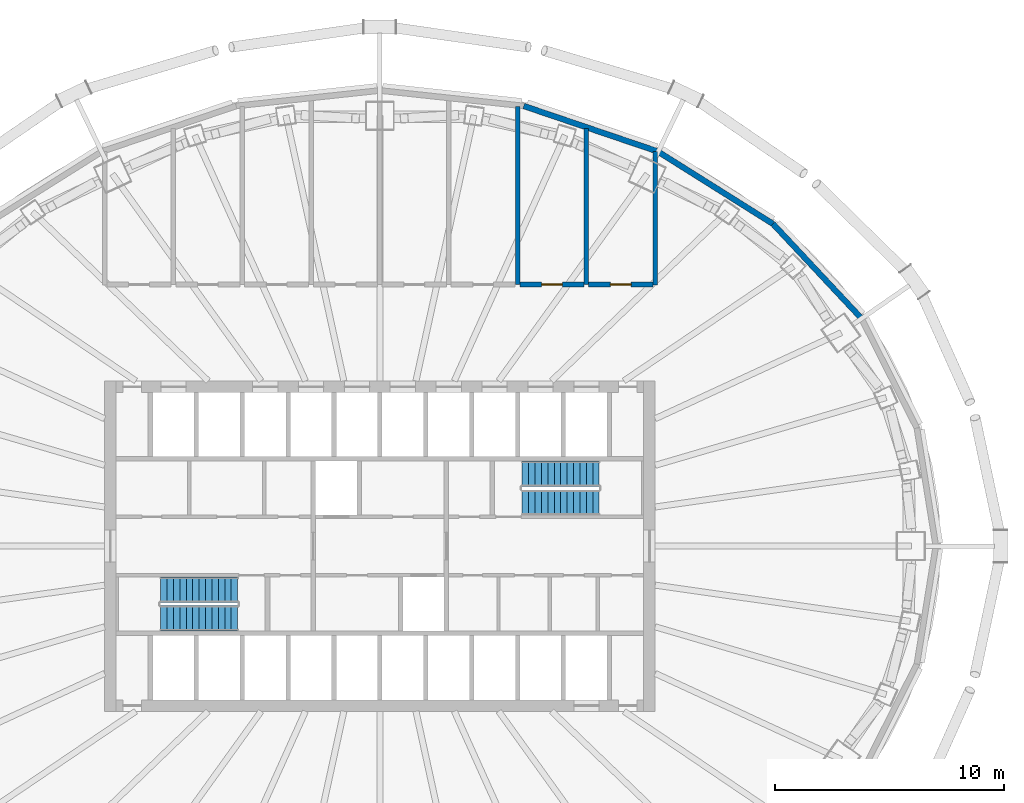
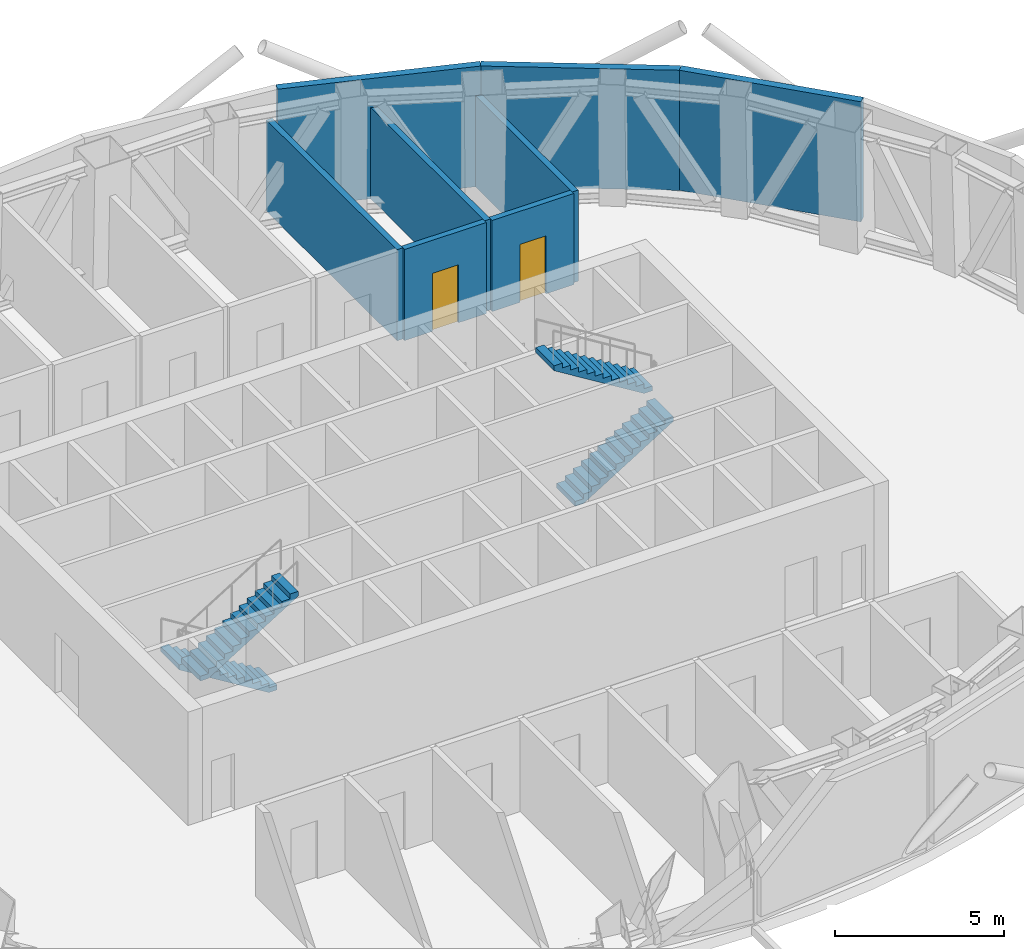
# One storey, part 8 of 16: 8 walls, 4 stair flights, 2 doors, 2 openings, 2 elements without a shape of their own.
"""IFC4 building model written with IfcOpenShell, lengths in metres."""

import ifcopenshell
import ifcopenshell.guid

model = None  # the IFC model being written
_history = None  # IfcOwnerHistory: only IFC2X3 demands one
_inside = {}  # id of a spatial element -> (the spatial element, [elements in it])
_under = {}  # id of a project, library or spatial element -> (it, [spatial elements below it])
_declared = {}  # id of a project -> (the project, [libraries it declares])
_typed = {}  # id of a type object -> (the type object, [elements of that type])
_made_of = {}  # id of a material, layer set ... -> (it, [elements and type objects made of it])


def new_model(schema):
    """Start an empty IFC model of exactly this schema.

    Asked for "IFC4X3", IfcOpenShell would pick the latest addendum, in which some entities
    have other attributes; the version numbers below select the first issue.
    IFC2X3 requires an IfcOwnerHistory on every rooted entity: one is made here for all.
    """
    global model, _history
    if schema == "IFC4X3":
        model = ifcopenshell.file(schema_version=(4, 3, 0, 0))
    else:
        model = ifcopenshell.file(schema=schema)
    _inside.clear()
    _under.clear()
    _declared.clear()
    _typed.clear()
    _made_of.clear()
    _history = None
    if model.schema == "IFC2X3":
        org = make("IfcOrganization", Name="unknown")
        user = make(
            "IfcPersonAndOrganization",
            ThePerson=make("IfcPerson", FamilyName="unknown"),
            TheOrganization=org,
        )
        app = make(
            "IfcApplication",
            ApplicationDeveloper=org,
            Version="unknown",
            ApplicationFullName="unknown",
            ApplicationIdentifier="unknown",
        )
        _history = make(
            "IfcOwnerHistory",
            OwningUser=user,
            OwningApplication=app,
            ChangeAction="ADDED",
            CreationDate=0,
        )
    return model


def make(cls, **values):
    """One entity of the class cls with the attributes given. An attribute that is None is left unset."""
    return model.create_entity(
        cls, **{name: value for name, value in values.items() if value is not None}
    )


def rooted(cls, **values):
    """An entity with a GlobalId (a new one), such as an element, a storey or a relation."""
    return make(cls, GlobalId=ifcopenshell.guid.new(), OwnerHistory=_history, **values)


def si_unit(unit_type, name, prefix=None):
    """IfcSIUnit, for example si_unit("LENGTHUNIT", "METRE", prefix="MILLI")."""
    return make("IfcSIUnit", UnitType=unit_type, Prefix=prefix, Name=name)


def assignment(units):
    """IfcUnitAssignment: the units of a project."""
    return None if units is None else make("IfcUnitAssignment", Units=units)


def point(xyz):
    """IfcCartesianPoint."""
    return None if xyz is None else make("IfcCartesianPoint", Coordinates=xyz)


def direction(xyz):
    """IfcDirection."""
    return None if xyz is None else make("IfcDirection", DirectionRatios=xyz)


def frame(location, z_axis=None, x_axis=None):
    """IfcAxis2Placement3D, a coordinate frame: its origin and axes. An axis left out is left unset."""
    return make(
        "IfcAxis2Placement3D",
        Location=point(location),
        Axis=direction(z_axis),
        RefDirection=direction(x_axis),
    )


def frame_2d(location, x_axis=None):
    """IfcAxis2Placement2D, a coordinate frame in the plane: its origin and x axis."""
    return make(
        "IfcAxis2Placement2D", Location=point(location), RefDirection=direction(x_axis)
    )


def origin():
    """The frame at (0, 0, 0) with its axes left unset."""
    return frame((0.0, 0.0, 0.0))


def place(relative_to, where):
    """IfcLocalPlacement: puts the frame where relative to a parent placement (None: the world)."""
    return make(
        "IfcLocalPlacement", PlacementRelTo=relative_to, RelativePlacement=where
    )


def context(
    kind, dimensions, precision=None, world=None, true_north=None, identifier=None
):
    """IfcGeometricRepresentationContext, for example the 3D "Model" context."""
    return make(
        "IfcGeometricRepresentationContext",
        ContextIdentifier=identifier,
        ContextType=kind,
        CoordinateSpaceDimension=dimensions,
        Precision=precision,
        WorldCoordinateSystem=world,
        TrueNorth=true_north,
    )


def subcontext(parent, identifier, kind, view, scale=None):
    """IfcGeometricRepresentationSubContext, for example "Body" below "Model"."""
    return make(
        "IfcGeometricRepresentationSubContext",
        ContextIdentifier=identifier,
        ContextType=kind,
        ParentContext=parent,
        TargetScale=scale,
        TargetView=view,
    )


def project(units=None, contexts=None):
    """IfcProject with its units and contexts."""
    return rooted(
        "IfcProject",
        Name="project",
        RepresentationContexts=contexts,
        UnitsInContext=assignment(units),
    )


def spatial(cls, under=None, at=None, **own):
    """A site, building, storey or space (cls), placed at a placement, below another one or the project."""
    s = rooted(cls, ObjectPlacement=at, **own)
    if under is not None:
        _under.setdefault(under.id(), (under, []))[1].append(s)
    return s


def polyline(points):
    """IfcPolyline through the points."""
    return make("IfcPolyline", Points=[point(p) for p in points])


def profile(cls, at=None, kind="AREA", **sizes):
    """A parametric profile (cls). Its sizes go by their IFC names, for example OverallWidth=200.0."""
    return make(cls, ProfileType=kind, Position=at, **sizes)


def rectangle(**sizes):
    """IfcRectangleProfileDef."""
    return profile("IfcRectangleProfileDef", **sizes)


def outline(outer, holes=None, kind="AREA"):
    """IfcArbitraryClosedProfileDef: a profile drawn as a closed curve; with holes, ...WithVoids."""
    if holes is None:
        return make("IfcArbitraryClosedProfileDef", ProfileType=kind, OuterCurve=outer)
    return make(
        "IfcArbitraryProfileDefWithVoids",
        ProfileType=kind,
        OuterCurve=outer,
        InnerCurves=holes,
    )


def extrude(swept, where, along, depth):
    """IfcExtrudedAreaSolid: the profile swept, set in the frame where, extruded along a direction by depth."""
    return make(
        "IfcExtrudedAreaSolid",
        SweptArea=swept,
        Position=where,
        ExtrudedDirection=direction(along),
        Depth=depth,
    )


def shape(context_of_items, identifier, shape_type, items):
    """IfcShapeRepresentation: the items that make up one representation, for example the "Body"."""
    return make(
        "IfcShapeRepresentation",
        ContextOfItems=context_of_items,
        RepresentationIdentifier=identifier,
        RepresentationType=shape_type,
        Items=items,
    )


def material(Name=None, Category=None):
    """IfcMaterial."""
    return make("IfcMaterial", Name=Name, Category=Category)


def layer(
    of_material, thickness, ventilated=None, Name=None, Category=None, Priority=None
):
    """IfcMaterialLayer: one layer of a wall or slab, of a material (None: an air gap)."""
    return make(
        "IfcMaterialLayer",
        Material=of_material,
        LayerThickness=thickness,
        IsVentilated=ventilated,
        Name=Name,
        Category=Category,
        Priority=Priority,
    )


def layer_set(layers, Name=None):
    """IfcMaterialLayerSet."""
    return make("IfcMaterialLayerSet", MaterialLayers=layers, LayerSetName=Name)


def made_of(thing, what):
    """Note that an element or type object is made of a material, layer set ...; save() writes the relation."""
    if what is not None:
        _made_of.setdefault(what.id(), (what, []))[1].append(thing)
    return thing


def type_object(cls, material=None, **own):
    """A type object (cls), such as IfcWallType, which elements share."""
    return made_of(rooted(cls, **own), material)


def element(
    cls,
    number,
    at=None,
    inside=None,
    cuts=None,
    type_object=None,
    material=None,
    context=None,
    identifier="Body",
    shape_type=None,
    held_by="IfcProductDefinitionShape",
    body=None,
    shapes=None,
    **own,
):
    """One element of the class cls, such as IfcWall. Its Tag is "e" and its number.

    at: its placement. inside: the storey or other place that contains it. cuts: it is an
    opening in that element (IfcRelVoidsElement). A single representation is given by context,
    identifier, shape_type and body (its items); several are given by shapes. held_by: the class
    of the entity that holds the representations. save() writes the other relations.
    """
    e = rooted(cls, Tag="e%d" % number, ObjectPlacement=at, **own)
    if body is not None:
        shapes = [shape(context, identifier, shape_type, body)]
    if shapes is not None:
        e.Representation = make(held_by, Representations=shapes)
    if inside is not None:
        _inside.setdefault(inside.id(), (inside, []))[1].append(e)
    if cuts is not None:
        rooted(
            "IfcRelVoidsElement", RelatingBuildingElement=cuts, RelatedOpeningElement=e
        )
    if type_object is not None:
        _typed.setdefault(type_object.id(), (type_object, []))[1].append(e)
    return made_of(e, material)


def fill(opening, filler):
    """IfcRelFillsElement: the door or window that sits in an opening."""
    return rooted(
        "IfcRelFillsElement",
        RelatingOpeningElement=opening,
        RelatedBuildingElement=filler,
    )


def aggregate(whole, parts):
    """IfcRelAggregates: a whole, such as a stair, and the parts it consists of."""
    return rooted("IfcRelAggregates", RelatingObject=whole, RelatedObjects=parts)


def save(model, path):
    """Write the relations noted so far, then the file.

    IfcRelAggregates (storeys below a building ...), IfcRelContainedInSpatialStructure (elements
    in a storey), IfcRelDefinesByType, IfcRelAssociatesMaterial and IfcRelDeclares: one each for
    every whole, place, type object, material and project.
    """
    for whole, parts in _under.values():
        aggregate(whole, parts)
    for where, things in _inside.values():
        rooted(
            "IfcRelContainedInSpatialStructure",
            RelatedElements=things,
            RelatingStructure=where,
        )
    for kind, things in _typed.values():
        rooted("IfcRelDefinesByType", RelatedObjects=things, RelatingType=kind)
    for what, things in _made_of.values():
        rooted("IfcRelAssociatesMaterial", RelatedObjects=things, RelatingMaterial=what)
    for by, libraries in _declared.values():
        rooted("IfcRelDeclares", RelatingContext=by, RelatedDefinitions=libraries)
    model.write(path)


model = new_model("IFC4")

# Units and contexts
model_context = context("Model", 3, precision=1e-05, world=origin(), true_north=direction((0.0, 1.0)))
body_context = subcontext(model_context, "Body", "Model", "MODEL_VIEW")
ifc_project = project(units=[si_unit("LENGTHUNIT", "METRE"), si_unit("AREAUNIT", "SQUARE_METRE"), si_unit("VOLUMEUNIT", "CUBIC_METRE"), si_unit("PLANEANGLEUNIT", "RADIAN"), si_unit("MASSUNIT", "GRAM", prefix="KILO")], contexts=[model_context])

# Site, building, storey
site_placement = place(None, origin())
site = spatial("IfcSite", under=ifc_project, at=site_placement, CompositionType="ELEMENT")
building_placement = place(site_placement, origin())
building = spatial("IfcBuilding", under=site, at=building_placement, Name="Siaravel Broadcast Tower", CompositionType="ELEMENT")
storey_placement = place(building_placement, frame((0.0, 0.0, 152.60009765625)))
storey = spatial("IfcBuildingStorey", under=building, at=storey_placement, Name="L36", CompositionType="ELEMENT", Elevation=152.60009765625)

# Walls
ifc_material_1 = material(Name="Concrete blockwork", Category="masonry")
ifc_layer_1 = layer(ifc_material_1, 0.199951171875)
ifc_layer_set_1 = layer_set([ifc_layer_1], Name="Concrete blockwork")
wall_type_1 = type_object("IfcWallType", Name="Plant room wall 200", PredefinedType="PARTITIONING", material=ifc_layer_set_1)
wall_1_placement = place(storey_placement, frame((6.0, 11.39990234375, 0.0), z_axis=(0.0, 0.0, 1.0), x_axis=(0.0, 1.0, 0.0)))
element("IfcWall", 1, at=wall_1_placement, inside=storey, type_object=wall_type_1, Name="L36 partition 10", PredefinedType="PARTITIONING", context=body_context, shape_type="SweptSolid", body=[
    extrude(rectangle(XDim=7.761474609375, YDim=0.199951171875, at=frame_2d((3.880859375, 0.0))), origin(), (0.0, 0.0, 1.0), 3.2998046875),
])
wall_2_placement = place(storey_placement, frame((9.0, 11.39990234375, 0.0), z_axis=(0.0, 0.0, 1.0), x_axis=(0.0, 1.0, 0.0)))
element("IfcWall", 2, at=wall_2_placement, inside=storey, type_object=wall_type_1, Name="L36 partition 14", PredefinedType="PARTITIONING", context=body_context, shape_type="SweptSolid", body=[
    extrude(rectangle(XDim=6.805908203125, YDim=0.199951171875, at=frame_2d((3.40283203125, 0.0))), origin(), (0.0, 0.0, 1.0), 3.2998046875),
])
wall_3_placement = place(storey_placement, frame((12.0, 11.387939453125, 0.0), z_axis=(0.0, 0.0, 1.0), x_axis=(0.0, 1.0, 0.0)))
element("IfcWall", 3, at=wall_3_placement, inside=storey, type_object=wall_type_1, Name="L36 partition 18", PredefinedType="PARTITIONING", context=body_context, shape_type="SweptSolid", body=[
    extrude(rectangle(XDim=5.800048828125, YDim=0.199951171875, at=frame_2d((2.89990234375, 0.0))), origin(), (0.0, 0.0, 1.0), 3.2998046875),
])

# Wall, opening, door
wall_4_placement = place(storey_placement, frame((8.89794921875, 11.39990234375, 0.0), z_axis=(0.0, 0.0, 1.0), x_axis=(-1.0, 0.0, 0.0)))
wall_4 = element("IfcWall", 4, at=wall_4_placement, inside=storey, type_object=wall_type_1, Name="L36 partition 33", PredefinedType="PARTITIONING", context=body_context, shape_type="SweptSolid", body=[
    extrude(rectangle(XDim=2.7958984375, YDim=0.199951171875, at=frame_2d((1.39794921875, 0.0))), origin(), (0.0, 0.0, 1.0), 3.2998046875),
])
opening_1_placement = place(wall_4_placement, frame((0.947998046875, 0.0, 0.0)))
opening_1 = element("IfcOpeningElement", 5, at=opening_1_placement, cuts=wall_4, Name="Opening L36-007", PredefinedType="OPENING", context=body_context, shape_type="SweptSolid", body=[
    extrude(rectangle(XDim=0.89990234375, YDim=2.10009765625, at=frame_2d((0.449951171875, 1.050048828125))), frame((0.0, 0.10986328125, 0.0), z_axis=(0.0, -1.0, 0.0), x_axis=(1.0, 0.0, 0.0)), (0.0, 0.0, 1.0), 0.219970703125),
])
ifc_material_2 = material(Name="Steel", Category="steel")
door_type = type_object("IfcDoorType", Name="Plant room door 900", OperationType="SINGLE_SWING_LEFT", PredefinedType="DOOR", material=ifc_material_2)
door_1_placement = place(opening_1_placement, origin())
door_1 = element("IfcDoor", 6, at=door_1_placement, inside=storey, type_object=door_type, Name="L36 door to Electrical plant room", OperationType="SINGLE_SWING_LEFT", OverallHeight=2.10009765625, OverallWidth=0.89990234375, PredefinedType="DOOR", context=body_context, shape_type="SweptSolid", body=[
    extrude(rectangle(XDim=0.89990234375, YDim=2.10009765625, at=frame_2d((0.449951171875, 1.050048828125))), frame((0.0, 0.02490234375, 0.0), z_axis=(0.0, -1.0, 0.0), x_axis=(1.0, 0.0, 0.0)), (0.0, 0.0, 1.0), 0.050048828125),
])
fill(opening_1, door_1)

wall_5_placement = place(storey_placement, frame((11.89794921875, 11.39990234375, 0.0), z_axis=(0.0, 0.0, 1.0), x_axis=(-1.0, 0.0, 0.0)))
wall_5 = element("IfcWall", 7, at=wall_5_placement, inside=storey, type_object=wall_type_1, Name="L36 partition 34", PredefinedType="PARTITIONING", context=body_context, shape_type="SweptSolid", body=[
    extrude(rectangle(XDim=2.7958984375, YDim=0.199951171875, at=frame_2d((1.39794921875, 0.0))), origin(), (0.0, 0.0, 1.0), 3.2998046875),
])
opening_2_placement = place(wall_5_placement, frame((0.947998046875, 0.0, 0.0)))
opening_2 = element("IfcOpeningElement", 8, at=opening_2_placement, cuts=wall_5, Name="Opening L36-008", PredefinedType="OPENING", context=body_context, shape_type="SweptSolid", body=[
    extrude(rectangle(XDim=0.89990234375, YDim=2.10009765625, at=frame_2d((0.449951171875, 1.050048828125))), frame((0.0, 0.10986328125, 0.0), z_axis=(0.0, -1.0, 0.0), x_axis=(1.0, 0.0, 0.0)), (0.0, 0.0, 1.0), 0.219970703125),
])
door_2_placement = place(opening_2_placement, origin())
door_2 = element("IfcDoor", 9, at=door_2_placement, inside=storey, type_object=door_type, Name="L36 door to Chiller plant room", OperationType="SINGLE_SWING_RIGHT", OverallHeight=2.10009765625, OverallWidth=0.89990234375, PredefinedType="DOOR", context=body_context, shape_type="SweptSolid", body=[
    extrude(rectangle(XDim=0.89990234375, YDim=2.10009765625, at=frame_2d((0.449951171875, 1.050048828125))), frame((0.0, 0.02490234375, 0.0), z_axis=(0.0, -1.0, 0.0), x_axis=(1.0, 0.0, 0.0)), (0.0, 0.0, 1.0), 0.050048828125),
])
fill(opening_2, door_2)

# Walls
ifc_material_3 = material(Name="Concrete C40/50", Category="concrete")
ifc_layer_2 = layer(ifc_material_3, 0.25)
ifc_layer_set_2 = layer_set([ifc_layer_2], Name="Concrete C40/50")
wall_type_2 = type_object("IfcWallType", Name="Plant storey wall", PredefinedType="STANDARD", material=ifc_layer_set_2)
wall_6_placement = place(storey_placement, frame((20.98388671875, 9.93310546875, 0.0), z_axis=(0.0, 0.0, 1.0), x_axis=(-0.683658596, 0.729801976, 0.0)))
element("IfcWall", 10, at=wall_6_placement, inside=storey, type_object=wall_type_2, Name="L36 plant storey wall 03", PredefinedType="STANDARD", context=body_context, shape_type="SweptSolid", body=[
    extrude(rectangle(XDim=5.634765625, YDim=0.25, at=frame_2d((2.8173828125, 0.0))), origin(), (0.0, 0.0, 1.0), 4.349853515625),
])
wall_7_placement = place(storey_placement, frame((17.131591796875, 14.04541015625, 0.0), z_axis=(0.0, 0.0, 1.0), x_axis=(-0.846665178, 0.532125996, 0.0)))
element("IfcWall", 11, at=wall_7_placement, inside=storey, type_object=wall_type_2, Name="L36 plant storey wall 04", PredefinedType="STANDARD", context=body_context, shape_type="SweptSolid", body=[
    extrude(rectangle(XDim=5.927734375, YDim=0.25, at=frame_2d((2.9638671875, 0.0))), origin(), (0.0, 0.0, 1.0), 4.349853515625),
])
wall_8_placement = place(storey_placement, frame((12.11279296875, 17.19970703125, 0.0), z_axis=(0.0, 0.0, 1.0), x_axis=(-0.946968166, 0.321327392, 0.0)))
element("IfcWall", 12, at=wall_8_placement, inside=storey, type_object=wall_type_2, Name="L36 plant storey wall 05", PredefinedType="STANDARD", context=body_context, shape_type="SweptSolid", body=[
    extrude(rectangle(XDim=6.170166015625, YDim=0.25, at=frame_2d((3.0849609375, 0.0))), origin(), (0.0, 0.0, 1.0), 4.349853515625),
])

# Stair, stair flights
stair_type = type_object("IfcStairType", Name="Core exit stair", PredefinedType="HALF_TURN_STAIR", material=ifc_material_3)
stair_1_placement = place(storey_placement, origin())
stair_1 = element("IfcStair", 13, at=stair_1_placement, inside=storey, type_object=stair_type, Name="L36 Exit stair ST-1", PredefinedType="HALF_TURN_STAIR")
stair_flight_type = type_object("IfcStairFlightType", Name="Stair flight 1100", PredefinedType="STRAIGHT", material=ifc_material_3)
stair_flight_1_placement = place(storey_placement, frame((-6.199951171875, -1.89990234375, 0.0), z_axis=(0.0, 0.0, 1.0), x_axis=(-1.0, 0.0, 0.0)))
stair_flight_1 = element("IfcStairFlight", 14, at=stair_flight_1_placement, type_object=stair_flight_type, Name="ST-1 flight 1", NumberOfRisers=13, NumberOfTreads=12, PredefinedType="STRAIGHT", RiserHeight=0.1730769, TreadLength=0.28, context=body_context, shape_type="SweptSolid", body=[
    extrude(outline(polyline([(0.0, 0.0), (0.0, 0.173095703125), (0.280029296875, 0.173095703125), (0.280029296875, 0.34619140625), (0.56005859375, 0.34619140625), (0.56005859375, 0.519287109375), (0.840087890625, 0.519287109375), (0.840087890625, 0.6923828125), (1.1201171875, 0.6923828125), (1.1201171875, 0.865478515625), (1.39990234375, 0.865478515625), (1.39990234375, 1.03857421875), (1.679931640625, 1.03857421875), (1.679931640625, 1.21142578125), (1.9599609375, 1.21142578125), (1.9599609375, 1.384521484375), (2.239990234375, 1.384521484375), (2.239990234375, 1.5576171875), (2.52001953125, 1.5576171875), (2.52001953125, 1.730712890625), (2.800048828125, 1.730712890625), (2.800048828125, 1.90380859375), (3.080078125, 1.90380859375), (3.080078125, 2.076904296875), (3.360107421875, 2.076904296875), (3.360107421875, 2.25), (3.360107421875, 1.900634765625), (0.28515625, 0.0), (0.0, 0.0)])), frame((0.0, 0.550048828125, 0.0), z_axis=(0.0, -1.0, 0.0), x_axis=(1.0, 0.0, 0.0)), (0.0, 0.0, 1.0), 1.10009765625),
])
stair_flight_2_placement = place(storey_placement, frame((-9.56005859375, -3.14990234375, 2.25), z_axis=(0.0, 0.0, 1.0), x_axis=(1.0, 0.0, 0.0)))
stair_flight_2 = element("IfcStairFlight", 15, at=stair_flight_2_placement, type_object=stair_flight_type, Name="ST-1 flight 2", NumberOfRisers=13, NumberOfTreads=12, PredefinedType="STRAIGHT", RiserHeight=0.1730769, TreadLength=0.28, context=body_context, shape_type="SweptSolid", body=[
    extrude(outline(polyline([(0.0, 0.0), (0.0, 0.173095703125), (0.280029296875, 0.173095703125), (0.280029296875, 0.34619140625), (0.56005859375, 0.34619140625), (0.56005859375, 0.519287109375), (0.840087890625, 0.519287109375), (0.840087890625, 0.6923828125), (1.1201171875, 0.6923828125), (1.1201171875, 0.865478515625), (1.39990234375, 0.865478515625), (1.39990234375, 1.03857421875), (1.679931640625, 1.03857421875), (1.679931640625, 1.21142578125), (1.9599609375, 1.21142578125), (1.9599609375, 1.384521484375), (2.239990234375, 1.384521484375), (2.239990234375, 1.5576171875), (2.52001953125, 1.5576171875), (2.52001953125, 1.730712890625), (2.800048828125, 1.730712890625), (2.800048828125, 1.90380859375), (3.080078125, 1.90380859375), (3.080078125, 2.076904296875), (3.360107421875, 2.076904296875), (3.360107421875, 2.25), (3.360107421875, 1.900634765625), (0.28515625, 0.0), (0.0, 0.0)])), frame((0.0, 0.550048828125, 0.0), z_axis=(0.0, -1.0, 0.0), x_axis=(1.0, 0.0, 0.0)), (0.0, 0.0, 1.0), 1.10009765625),
])
aggregate(stair_1, [stair_flight_1, stair_flight_2])

stair_2_placement = place(storey_placement, origin())
stair_2 = element("IfcStair", 16, at=stair_2_placement, inside=storey, type_object=stair_type, Name="L36 Exit stair ST-2", PredefinedType="HALF_TURN_STAIR")
stair_flight_3_placement = place(storey_placement, frame((6.199951171875, 1.89990234375, 0.0), z_axis=(0.0, 0.0, 1.0), x_axis=(1.0, 0.0, 0.0)))
stair_flight_3 = element("IfcStairFlight", 17, at=stair_flight_3_placement, type_object=stair_flight_type, Name="ST-2 flight 1", NumberOfRisers=13, NumberOfTreads=12, PredefinedType="STRAIGHT", RiserHeight=0.1730769, TreadLength=0.28, context=body_context, shape_type="SweptSolid", body=[
    extrude(outline(polyline([(0.0, 0.0), (0.0, 0.173095703125), (0.280029296875, 0.173095703125), (0.280029296875, 0.34619140625), (0.56005859375, 0.34619140625), (0.56005859375, 0.519287109375), (0.840087890625, 0.519287109375), (0.840087890625, 0.6923828125), (1.1201171875, 0.6923828125), (1.1201171875, 0.865478515625), (1.39990234375, 0.865478515625), (1.39990234375, 1.03857421875), (1.679931640625, 1.03857421875), (1.679931640625, 1.21142578125), (1.9599609375, 1.21142578125), (1.9599609375, 1.384521484375), (2.239990234375, 1.384521484375), (2.239990234375, 1.5576171875), (2.52001953125, 1.5576171875), (2.52001953125, 1.730712890625), (2.800048828125, 1.730712890625), (2.800048828125, 1.90380859375), (3.080078125, 1.90380859375), (3.080078125, 2.076904296875), (3.360107421875, 2.076904296875), (3.360107421875, 2.25), (3.360107421875, 1.900634765625), (0.28515625, 0.0), (0.0, 0.0)])), frame((0.0, 0.550048828125, 0.0), z_axis=(0.0, -1.0, 0.0), x_axis=(1.0, 0.0, 0.0)), (0.0, 0.0, 1.0), 1.10009765625),
])
stair_flight_4_placement = place(storey_placement, frame((9.56005859375, 3.14990234375, 2.25), z_axis=(0.0, 0.0, 1.0), x_axis=(-1.0, 0.0, 0.0)))
stair_flight_4 = element("IfcStairFlight", 18, at=stair_flight_4_placement, type_object=stair_flight_type, Name="ST-2 flight 2", NumberOfRisers=13, NumberOfTreads=12, PredefinedType="STRAIGHT", RiserHeight=0.1730769, TreadLength=0.28, context=body_context, shape_type="SweptSolid", body=[
    extrude(outline(polyline([(0.0, 0.0), (0.0, 0.173095703125), (0.280029296875, 0.173095703125), (0.280029296875, 0.34619140625), (0.56005859375, 0.34619140625), (0.56005859375, 0.519287109375), (0.840087890625, 0.519287109375), (0.840087890625, 0.6923828125), (1.1201171875, 0.6923828125), (1.1201171875, 0.865478515625), (1.39990234375, 0.865478515625), (1.39990234375, 1.03857421875), (1.679931640625, 1.03857421875), (1.679931640625, 1.21142578125), (1.9599609375, 1.21142578125), (1.9599609375, 1.384521484375), (2.239990234375, 1.384521484375), (2.239990234375, 1.5576171875), (2.52001953125, 1.5576171875), (2.52001953125, 1.730712890625), (2.800048828125, 1.730712890625), (2.800048828125, 1.90380859375), (3.080078125, 1.90380859375), (3.080078125, 2.076904296875), (3.360107421875, 2.076904296875), (3.360107421875, 2.25), (3.360107421875, 1.900634765625), (0.28515625, 0.0), (0.0, 0.0)])), frame((0.0, 0.550048828125, 0.0), z_axis=(0.0, -1.0, 0.0), x_axis=(1.0, 0.0, 0.0)), (0.0, 0.0, 1.0), 1.10009765625),
])
aggregate(stair_2, [stair_flight_3, stair_flight_4])

save(model, "model.ifc")
